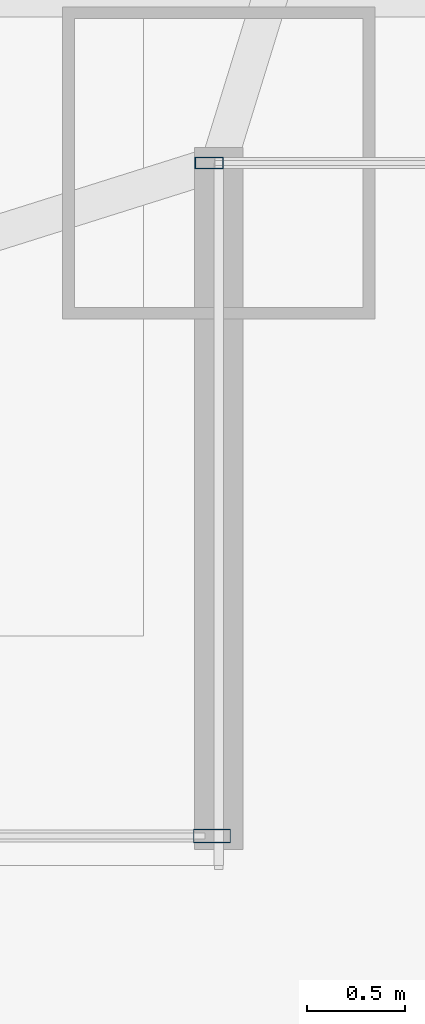
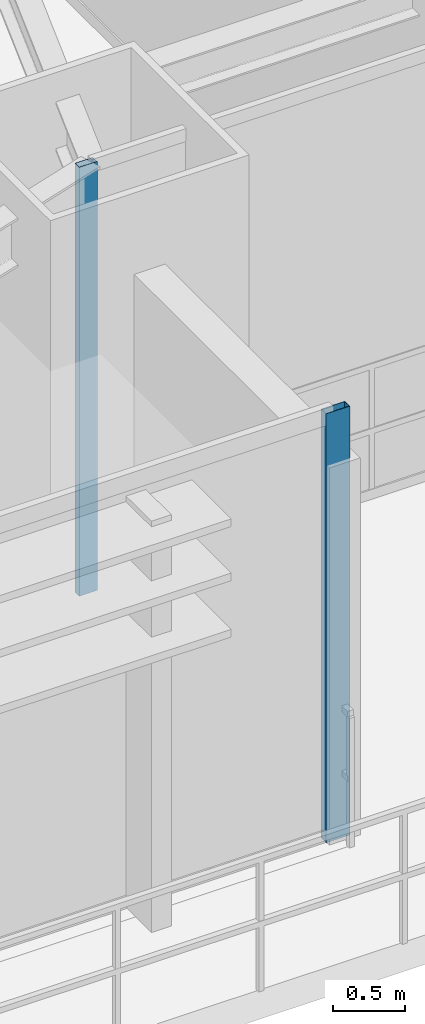
# One storey, part 17 of 34: 2 members, 2 elements without a shape of their own.
"""IFC4 building model written with IfcOpenShell, lengths in metres."""

from ifc_helpers import new_model, si_unit, direction, frame, origin, origin_2d, place, context, subcontext, project, spatial, hollow_rectangle, extrude, source, transform, mapped, material, layer, layer_set, material_profile, profile_set, type_object, type_shapes, element, aggregate, save


model = new_model("IFC4")

# Units and contexts
model_context = context("Model", 3, precision=1e-05, world=origin(), true_north=direction((0.0, 1.0)))
body_context = subcontext(model_context, "Body", "Model", "MODEL_VIEW")
ifc_project = project(units=[si_unit("LENGTHUNIT", "METRE"), si_unit("AREAUNIT", "SQUARE_METRE"), si_unit("VOLUMEUNIT", "CUBIC_METRE"), si_unit("PLANEANGLEUNIT", "RADIAN"), si_unit("MASSUNIT", "GRAM", prefix="KILO")], contexts=[model_context])

# Site, building, storey
site_placement = place(None, origin())
site = spatial("IfcSite", under=ifc_project, at=site_placement, CompositionType="ELEMENT")
building_placement = place(site_placement, origin())
building = spatial("IfcBuilding", under=site, at=building_placement, Name="Varnel Quay Broadcast Tower", CompositionType="ELEMENT")
storey_placement = place(building_placement, frame((0.0, 0.0, 27.60009765625)))
storey = spatial("IfcBuildingStorey", under=building, at=storey_placement, Name="L05", CompositionType="ELEMENT", Elevation=27.60009765625)

# Curtain wall, member
ifc_material = material(Name="Anodised Bronze Aluminium 6063-T6", Category="aluminium")
ifc_layer_1 = layer(ifc_material, 0.18994140625, Name="Anodised Bronze Aluminium 6063-T6")
ifc_layer_set_1 = layer_set([ifc_layer_1], Name="Anodised Bronze Aluminium 6063-T6")
curtain_wall_type_1 = type_object("IfcCurtainWallType", Name="CW_LowerTower", PredefinedType="NOTDEFINED", material=ifc_layer_set_1)
curtain_wall_1_placement = place(storey_placement, origin())
curtain_wall_1 = element("IfcCurtainWall", 1, at=curtain_wall_1_placement, inside=storey, type_object=curtain_wall_type_1, Name="L05 South Unitised Curtain Wall 3", PredefinedType="NOTDEFINED")
ifc_material_profile_1 = material_profile(ifc_material, hollow_rectangle(XDim=0.070068359375, YDim=0.18994140625, WallThickness=0.00390625, at=origin_2d()), Name="ALU70X190X4")
ifc_profile_set_1 = profile_set([ifc_material_profile_1], Name="Anodised Bronze Aluminium 6063-T6")
member_type_1 = type_object("IfcMemberType", Name="Mull_CWS-02", PredefinedType="MULLION", material=ifc_profile_set_1)
shared_shape_1 = source(origin(), body_context, "Body", "SweptSolid", [
    extrude(hollow_rectangle(XDim=0.070068359375, YDim=0.18994140625, WallThickness=0.00390625, at=origin_2d()), origin(), (0.0, 0.0, 1.0), 3.64990234375),
])
type_shapes(member_type_1, [shared_shape_1])
member_1_placement = place(storey_placement, frame((62.364990234375, 1.35009765625, 0.0), z_axis=(0.0, 0.0, 1.0), x_axis=(0.0, 1.0, 0.0)))
member_1 = element("IfcMember", 2, at=member_1_placement, type_object=member_type_1, Name="CWS-02 mullion 2", PredefinedType="MULLION", context=body_context, shape_type="MappedRepresentation", body=[
    mapped(shared_shape_1, transform((0.0, 0.0, 0.0), x_axis=(1.0, 0.0, 0.0), y_axis=(0.0, 1.0, 0.0), z_axis=(0.0, 0.0, 1.0), scale=1.0)),
])
aggregate(curtain_wall_1, [member_1])

ifc_layer_2 = layer(ifc_material, 0.18994140625, Name="Anodised Bronze Aluminium 6063-T6")
ifc_layer_set_2 = layer_set([ifc_layer_2], Name="Anodised Bronze Aluminium 6063-T6")
curtain_wall_type_2 = type_object("IfcCurtainWallType", Name="CW_NotchCorner", PredefinedType="NOTDEFINED", material=ifc_layer_set_2)
curtain_wall_2_placement = place(storey_placement, origin())
curtain_wall_2 = element("IfcCurtainWall", 3, at=curtain_wall_2_placement, inside=storey, type_object=curtain_wall_type_2, Name="L05 SE Notch Curtain Wall", PredefinedType="NOTDEFINED")
ifc_material_profile_2 = material_profile(ifc_material, hollow_rectangle(XDim=0.06005859375, YDim=0.14501953125, WallThickness=0.00341796875, at=origin_2d()), Name="ALU60X145X3.5")
ifc_profile_set_2 = profile_set([ifc_material_profile_2], Name="Anodised Bronze Aluminium 6063-T6")
member_type_2 = type_object("IfcMemberType", Name="Mull_CWS-04", PredefinedType="MULLION", material=ifc_profile_set_2)
shared_shape_2 = source(origin(), body_context, "Body", "SweptSolid", [
    extrude(hollow_rectangle(XDim=0.06005859375, YDim=0.14501953125, WallThickness=0.00341796875, at=origin_2d()), origin(), (0.0, 0.0, 1.0), 3.64990234375),
])
type_shapes(member_type_2, [shared_shape_2])
member_2_placement = place(storey_placement, frame((62.35009765625, 4.800048828125, 0.0), z_axis=(0.0, 0.0, 1.0), x_axis=(0.0, 1.0, 0.0)))
member_2 = element("IfcMember", 4, at=member_2_placement, type_object=member_type_2, Name="CWS-04 mullion 1", PredefinedType="MULLION", context=body_context, shape_type="MappedRepresentation", body=[
    mapped(shared_shape_2, transform((0.0, 0.0, 0.0), x_axis=(1.0, 0.0, 0.0), y_axis=(0.0, 1.0, 0.0), z_axis=(0.0, 0.0, 1.0), scale=1.0)),
])
aggregate(curtain_wall_2, [member_2])

save(model, "model.ifc")
